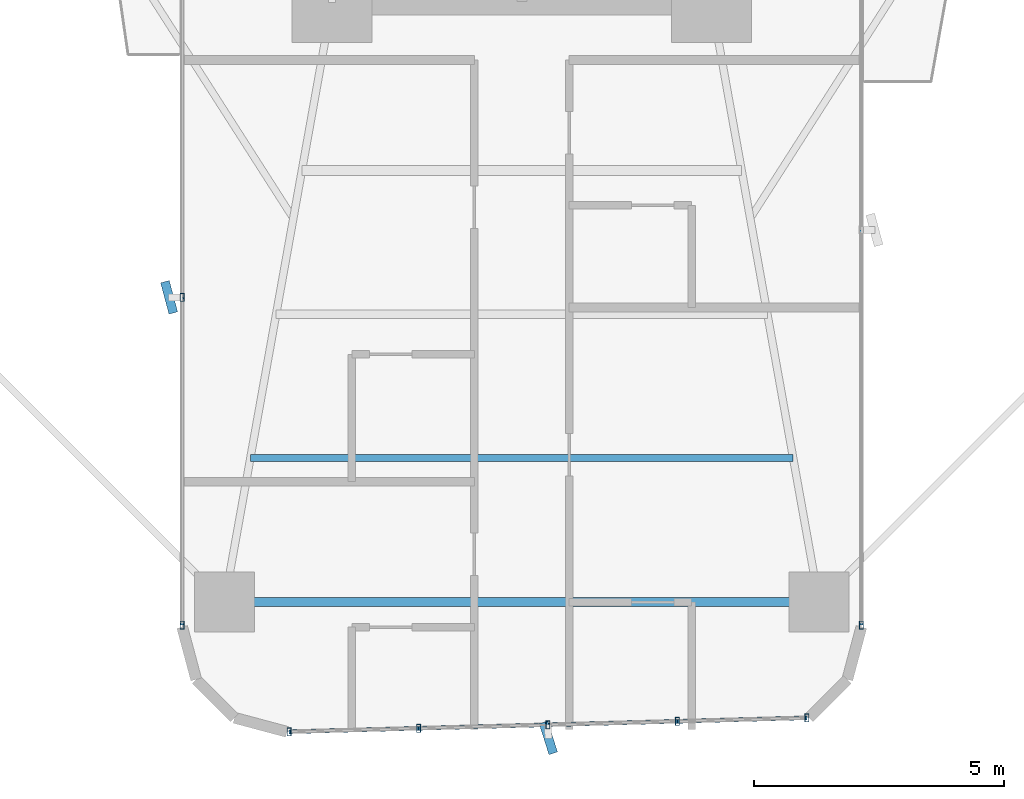
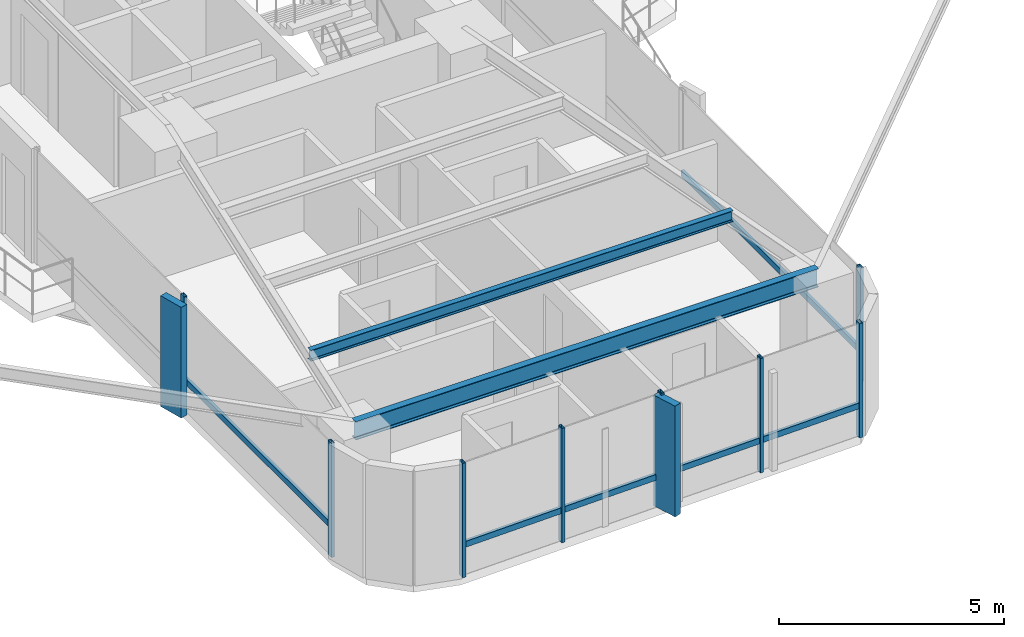
# One storey, part 2 of 25: 16 members, 2 beams, 3 elements without a shape of their own.
"""IFC4 building model written with IfcOpenShell, lengths in metres."""

from ifc_helpers import new_model, si_unit, direction, frame, origin, origin_2d, place, context, subcontext, project, spatial, rectangle, hollow_rectangle, i_section, extrude, source, transform, mapped, material, material_profile, profile_set, type_object, element, aggregate, save


model = new_model("IFC4")

# Units and contexts
model_context = context("Model", 3, precision=1e-05, world=origin(), true_north=direction((0.0, 1.0)))
body_context = subcontext(model_context, "Body", "Model", "MODEL_VIEW")
ifc_project = project(units=[si_unit("LENGTHUNIT", "METRE"), si_unit("AREAUNIT", "SQUARE_METRE"), si_unit("VOLUMEUNIT", "CUBIC_METRE"), si_unit("PLANEANGLEUNIT", "RADIAN"), si_unit("MASSUNIT", "GRAM", prefix="KILO")], contexts=[model_context])

# Site, building, storey
site_placement = place(None, origin())
site = spatial("IfcSite", under=ifc_project, at=site_placement, CompositionType="ELEMENT")
building_placement = place(site_placement, origin())
building = spatial("IfcBuilding", under=site, at=building_placement, Name="Sahyath Konkavel Grand Hotel", CompositionType="ELEMENT")
storey_placement = place(building_placement, frame((0.0, 0.0, 67.800048828125)))
storey = spatial("IfcBuildingStorey", under=building, at=storey_placement, Name="L18", CompositionType="ELEMENT", Elevation=67.800048828125)

# Beams
ifc_material_1 = material(Name="Steel E350", Category="steel")
ifc_material_profile_1 = material_profile(ifc_material_1, i_section(OverallWidth=0.179931640625, OverallDepth=0.5, WebThickness=0.01025390625, FlangeThickness=0.01708984375, FilletRadius=0.01708984375, at=origin_2d()), Name="ISMB 500")
ifc_profile_set_1 = profile_set([ifc_material_profile_1], Name="Steel E350")
beam_type_1 = type_object("IfcBeamType", Name="BM-ISMB500", PredefinedType="BEAM", material=ifc_profile_set_1)
shared_shape_1 = source(origin(), body_context, "Body", "SweptSolid", [
    extrude(i_section(OverallWidth=0.179931640625, OverallDepth=0.5, WebThickness=0.01025390625, FlangeThickness=0.01708984375, FilletRadius=0.01708984375, at=origin_2d()), origin(), (0.0, 0.0, 1.0), 11.89990234375),
])
beam_1_placement = place(storey_placement, frame((-5.949951171875, -22.199951171875, 2.85986328125), z_axis=(1.0, 0.0, 0.0), x_axis=(0.0, 1.0, 0.0)))
element("IfcBeam", 1, at=beam_1_placement, inside=storey, type_object=beam_type_1, Name="L18 Wing Tip Edge Beam S", PredefinedType="BEAM", context=body_context, shape_type="MappedRepresentation", body=[
    mapped(shared_shape_1, transform((0.0, 0.0, 0.0), scale=1.0)),
])
ifc_material_profile_2 = material_profile(ifc_material_1, i_section(OverallWidth=0.139892578125, OverallDepth=0.300048828125, WebThickness=0.0078125, FlangeThickness=0.01318359375, FilletRadius=0.013916015625, at=origin_2d()), Name="ISMB 300")
ifc_profile_set_2 = profile_set([ifc_material_profile_2], Name="Steel E350")
beam_type_2 = type_object("IfcBeamType", Name="BM-ISMB300", PredefinedType="BEAM", material=ifc_profile_set_2)
shared_shape_2 = source(origin(), body_context, "Body", "SweptSolid", [
    extrude(i_section(OverallWidth=0.139892578125, OverallDepth=0.300048828125, WebThickness=0.0078125, FlangeThickness=0.01318359375, FilletRadius=0.013916015625, at=origin_2d()), origin(), (0.0, 0.0, 1.0), 10.8681640625),
])
beam_2_placement = place(storey_placement, frame((-5.43408203125, -19.320068359375, 2.9599609375), z_axis=(1.0, 0.0, 0.0), x_axis=(0.0, 1.0, 0.0)))
element("IfcBeam", 2, at=beam_2_placement, inside=storey, type_object=beam_type_2, Name="L18 Secondary Floor Beam S-3", PredefinedType="BEAM", context=body_context, shape_type="MappedRepresentation", body=[
    mapped(shared_shape_2, transform((0.0, 0.0, 0.0), scale=1.0)),
])

# Curtain wall, members
ifc_material_2 = material(Name="Anodised Bronze Aluminium & Low-E Glazing", Category="aluminium")
curtain_wall_type = type_object("IfcCurtainWallType", Name="CW-ZONE1", PredefinedType="NOTDEFINED", material=ifc_material_2)
curtain_wall_1_placement = place(storey_placement, origin())
curtain_wall_1 = element("IfcCurtainWall", 3, at=curtain_wall_1_placement, inside=storey, type_object=curtain_wall_type, Name="L18 Unitised Curtain Wall F24", PredefinedType="NOTDEFINED")
ifc_material_3 = material(Name="Anodised Bronze Aluminium", Category="aluminium")
ifc_material_profile_3 = material_profile(ifc_material_3, hollow_rectangle(XDim=0.080078125, YDim=0.159912109375, WallThickness=0.006103515625, at=origin_2d()), Name="RHS 160x80x6")
ifc_profile_set_3 = profile_set([ifc_material_profile_3], Name="Anodised Bronze Aluminium")
member_type_1 = type_object("IfcMemberType", Name="CW-MUL-160", PredefinedType="MULLION", material=ifc_profile_set_3)
shared_shape_3 = source(origin(), body_context, "Body", "SweptSolid", [
    extrude(hollow_rectangle(XDim=0.080078125, YDim=0.159912109375, WallThickness=0.006103515625, at=origin_2d()), origin(), (0.0, 0.0, 1.0), 3.10986328125),
])
member_1_placement = place(storey_placement, frame((-6.800048828125, -16.10009765625, 0.0), z_axis=(0.0, 0.0, 1.0), x_axis=(1.0, 0.0, 0.0)))
member_1 = element("IfcMember", 4, at=member_1_placement, type_object=member_type_1, Name="L18 Curtain Wall Mullion F24-1", PredefinedType="MULLION", context=body_context, shape_type="MappedRepresentation", body=[
    mapped(shared_shape_3, transform((0.0, 0.0, 0.0), scale=1.0)),
])
member_2_placement = place(storey_placement, frame((-6.800048828125, -22.659912109375, 0.0), z_axis=(0.0, 0.0, 1.0), x_axis=(1.0, 0.0, 0.0)))
member_2 = element("IfcMember", 5, at=member_2_placement, type_object=member_type_1, Name="L18 Curtain Wall Mullion F24-2", PredefinedType="MULLION", context=body_context, shape_type="MappedRepresentation", body=[
    mapped(shared_shape_3, transform((0.0, 0.0, 0.0), scale=1.0)),
])

curtain_wall_2_placement = place(storey_placement, origin())
curtain_wall_2 = element("IfcCurtainWall", 6, at=curtain_wall_2_placement, inside=storey, type_object=curtain_wall_type, Name="L18 Unitised Curtain Wall F28", PredefinedType="NOTDEFINED")
member_3_placement = place(storey_placement, frame((-4.659912109375, -24.798828125, 0.0), z_axis=(0.0, 0.0, 1.0), x_axis=(1.0, 0.0, 0.0)))
member_3 = element("IfcMember", 7, at=member_3_placement, type_object=member_type_1, Name="L18 Curtain Wall Mullion F28-0", PredefinedType="MULLION", context=body_context, shape_type="MappedRepresentation", body=[
    mapped(shared_shape_3, transform((0.0, 0.0, 0.0), scale=1.0)),
])
member_4_placement = place(storey_placement, frame((-2.0673828125, -24.72900390625, 0.0), z_axis=(0.0, 0.0, 1.0), x_axis=(1.0, 0.0, 0.0)))
member_4 = element("IfcMember", 8, at=member_4_placement, type_object=member_type_1, Name="L18 Curtain Wall Mullion F28-1", PredefinedType="MULLION", context=body_context, shape_type="MappedRepresentation", body=[
    mapped(shared_shape_3, transform((0.0, 0.0, 0.0), scale=1.0)),
])
member_5_placement = place(storey_placement, frame((0.52490234375, -24.6591796875, 0.0), z_axis=(0.0, 0.0, 1.0), x_axis=(1.0, 0.0, 0.0)))
member_5 = element("IfcMember", 9, at=member_5_placement, type_object=member_type_1, Name="L18 Curtain Wall Mullion F28-2", PredefinedType="MULLION", context=body_context, shape_type="MappedRepresentation", body=[
    mapped(shared_shape_3, transform((0.0, 0.0, 0.0), scale=1.0)),
])
member_6_placement = place(storey_placement, frame((3.117431640625, -24.589599609375, 0.0), z_axis=(0.0, 0.0, 1.0), x_axis=(1.0, 0.0, 0.0)))
member_6 = element("IfcMember", 10, at=member_6_placement, type_object=member_type_1, Name="L18 Curtain Wall Mullion F28-3", PredefinedType="MULLION", context=body_context, shape_type="MappedRepresentation", body=[
    mapped(shared_shape_3, transform((0.0, 0.0, 0.0), scale=1.0)),
])
member_7_placement = place(storey_placement, frame((5.7099609375, -24.519775390625, 0.0), z_axis=(0.0, 0.0, 1.0), x_axis=(1.0, 0.0, 0.0)))
member_7 = element("IfcMember", 11, at=member_7_placement, type_object=member_type_1, Name="L18 Curtain Wall Mullion F28-4", PredefinedType="MULLION", context=body_context, shape_type="MappedRepresentation", body=[
    mapped(shared_shape_3, transform((0.0, 0.0, 0.0), scale=1.0)),
])

# Curtain wall, member
curtain_wall_3_placement = place(storey_placement, origin())
curtain_wall_3 = element("IfcCurtainWall", 12, at=curtain_wall_3_placement, inside=storey, type_object=curtain_wall_type, Name="L18 Unitised Curtain Wall F31", PredefinedType="NOTDEFINED")
member_8_placement = place(storey_placement, frame((6.800048828125, -22.659912109375, 0.0), z_axis=(0.0, 0.0, 1.0), x_axis=(1.0, 0.0, 0.0)))
member_8 = element("IfcMember", 13, at=member_8_placement, type_object=member_type_1, Name="L18 Curtain Wall Mullion F31-0", PredefinedType="MULLION", context=body_context, shape_type="MappedRepresentation", body=[
    mapped(shared_shape_3, transform((0.0, 0.0, 0.0), scale=1.0)),
])

# Member
ifc_material_4 = material(Name="Warm Buff Sandstone Cladding on Concrete C50/60", Category="masonry")
ifc_material_profile_4 = material_profile(ifc_material_4, rectangle(XDim=0.179931640625, YDim=0.64990234375, at=origin_2d()), Name="FIN 180x650")
ifc_profile_set_4 = profile_set([ifc_material_profile_4], Name="Warm Buff Sandstone Cladding on Concrete C50/60")
member_type_2 = type_object("IfcMemberType", Name="FIN-SANDSTONE-650", PredefinedType="MULLION", material=ifc_profile_set_4)
shared_shape_4 = source(origin(), body_context, "Body", "SweptSolid", [
    extrude(rectangle(XDim=0.179931640625, YDim=0.64990234375, at=origin_2d()), origin(), (0.0, 0.0, 1.0), 3.010009765625),
])
member_9_placement = place(storey_placement, frame((-7.06005859375, -16.10009765625, 0.050048828125), z_axis=(0.0, 0.0, 1.0), x_axis=(0.965744901133, 0.259493325415, 0.0)))
member_9 = element("IfcMember", 14, at=member_9_placement, type_object=member_type_2, Name="L18 Sandstone Vertical Solar Fin FIN F24-1", PredefinedType="MULLION", context=body_context, shape_type="MappedRepresentation", body=[
    mapped(shared_shape_4, transform((0.0, 0.0, 0.0), scale=1.0)),
])

member_10_placement = place(storey_placement, frame((0.531982421875, -24.919189453125, 0.050048828125), z_axis=(0.0, 0.0, 1.0), x_axis=(0.953032216634, 0.302868938746, 0.0)))
member_10 = element("IfcMember", 15, at=member_10_placement, type_object=member_type_2, Name="L18 Sandstone Vertical Solar Fin FIN F28-2", PredefinedType="MULLION", context=body_context, shape_type="MappedRepresentation", body=[
    mapped(shared_shape_4, transform((0.0, 0.0, 0.0), scale=1.0)),
])

ifc_material_profile_5 = material_profile(ifc_material_3, hollow_rectangle(XDim=0.080078125, YDim=0.159912109375, WallThickness=0.006103515625, at=origin_2d()), Name="RHS 160x80x6")
ifc_profile_set_5 = profile_set([ifc_material_profile_5], Name="Anodised Bronze Aluminium")
member_type_3 = type_object("IfcMemberType", Name="CW-TRN-160", PredefinedType="USERDEFINED", material=ifc_profile_set_5)
shared_shape_5 = source(origin(), body_context, "Body", "SweptSolid", [
    extrude(hollow_rectangle(XDim=0.080078125, YDim=0.159912109375, WallThickness=0.006103515625, at=origin_2d()), origin(), (0.0, 0.0, 1.0), 7.909912109375),
])
member_11_placement = place(storey_placement, frame((6.800048828125, -22.659912109375, 0.849853515625), z_axis=(0.0, 1.0, 0.0), x_axis=(-1.0, 0.0, 0.0)))
member_11 = element("IfcMember", 16, at=member_11_placement, type_object=member_type_3, Name="L18 Curtain Wall Transom F31-0-spandrel", ObjectType="TRANSOM", PredefinedType="USERDEFINED", context=body_context, shape_type="MappedRepresentation", body=[
    mapped(shared_shape_5, transform((0.0, 0.0, 0.0), scale=1.0)),
])

aggregate(curtain_wall_3, [member_8, member_11])

shared_shape_6 = source(origin(), body_context, "Body", "SweptSolid", [
    extrude(hollow_rectangle(XDim=0.080078125, YDim=0.159912109375, WallThickness=0.006103515625, at=origin_2d()), origin(), (0.0, 0.0, 1.0), 2.593505859375),
])
member_12_placement = place(storey_placement, frame((-4.659912109375, -24.798828125, 0.849853515625), z_axis=(0.999637507825, 0.026923093252, 0.0), x_axis=(-0.026923093252, 0.999637507825, 0.0)))
member_12 = element("IfcMember", 17, at=member_12_placement, type_object=member_type_3, Name="L18 Curtain Wall Transom F28-0-spandrel", ObjectType="TRANSOM", PredefinedType="USERDEFINED", context=body_context, shape_type="MappedRepresentation", body=[
    mapped(shared_shape_6, transform((0.0, 0.0, 0.0), scale=1.0)),
])

member_13_placement = place(storey_placement, frame((0.52490234375, -24.6591796875, 0.849853515625), z_axis=(0.999640036937, 0.02682902444, 0.0), x_axis=(-0.02682902444, 0.999640036937, 0.0)))
member_13 = element("IfcMember", 18, at=member_13_placement, type_object=member_type_3, Name="L18 Curtain Wall Transom F28-2-spandrel", ObjectType="TRANSOM", PredefinedType="USERDEFINED", context=body_context, shape_type="MappedRepresentation", body=[
    mapped(shared_shape_6, transform((0.0, 0.0, 0.0), scale=1.0)),
])

member_14_placement = place(storey_placement, frame((3.117431640625, -24.589599609375, 0.849853515625), z_axis=(0.999637507825, 0.026923093252, 0.0), x_axis=(-0.026923093252, 0.999637507825, 0.0)))
member_14 = element("IfcMember", 19, at=member_14_placement, type_object=member_type_3, Name="L18 Curtain Wall Transom F28-3-spandrel", ObjectType="TRANSOM", PredefinedType="USERDEFINED", context=body_context, shape_type="MappedRepresentation", body=[
    mapped(shared_shape_6, transform((0.0, 0.0, 0.0), scale=1.0)),
])

shared_shape_7 = source(origin(), body_context, "Body", "SweptSolid", [
    extrude(hollow_rectangle(XDim=0.080078125, YDim=0.159912109375, WallThickness=0.006103515625, at=origin_2d()), origin(), (0.0, 0.0, 1.0), 2.59326171875),
])
member_15_placement = place(storey_placement, frame((-2.0673828125, -24.72900390625, 0.849853515625), z_axis=(0.99963743958, 0.026925627022, 0.0), x_axis=(-0.026925627022, 0.99963743958, 0.0)))
member_15 = element("IfcMember", 20, at=member_15_placement, type_object=member_type_3, Name="L18 Curtain Wall Transom F28-1-spandrel", ObjectType="TRANSOM", PredefinedType="USERDEFINED", context=body_context, shape_type="MappedRepresentation", body=[
    mapped(shared_shape_7, transform((0.0, 0.0, 0.0), scale=1.0)),
])

aggregate(curtain_wall_2, [member_3, member_4, member_5, member_10, member_6, member_7, member_12, member_15, member_13, member_14])

shared_shape_8 = source(origin(), body_context, "Body", "SweptSolid", [
    extrude(hollow_rectangle(XDim=0.080078125, YDim=0.159912109375, WallThickness=0.006103515625, at=origin_2d()), origin(), (0.0, 0.0, 1.0), 6.559814453125),
])
member_16_placement = place(storey_placement, frame((-6.800048828125, -16.10009765625, 0.849853515625), z_axis=(0.0, -1.0, 0.0), x_axis=(1.0, 0.0, 0.0)))
member_16 = element("IfcMember", 21, at=member_16_placement, type_object=member_type_3, Name="L18 Curtain Wall Transom F24-1-spandrel", ObjectType="TRANSOM", PredefinedType="USERDEFINED", context=body_context, shape_type="MappedRepresentation", body=[
    mapped(shared_shape_8, transform((0.0, 0.0, 0.0), scale=1.0)),
])

aggregate(curtain_wall_1, [member_1, member_9, member_2, member_16])

save(model, "model.ifc")
